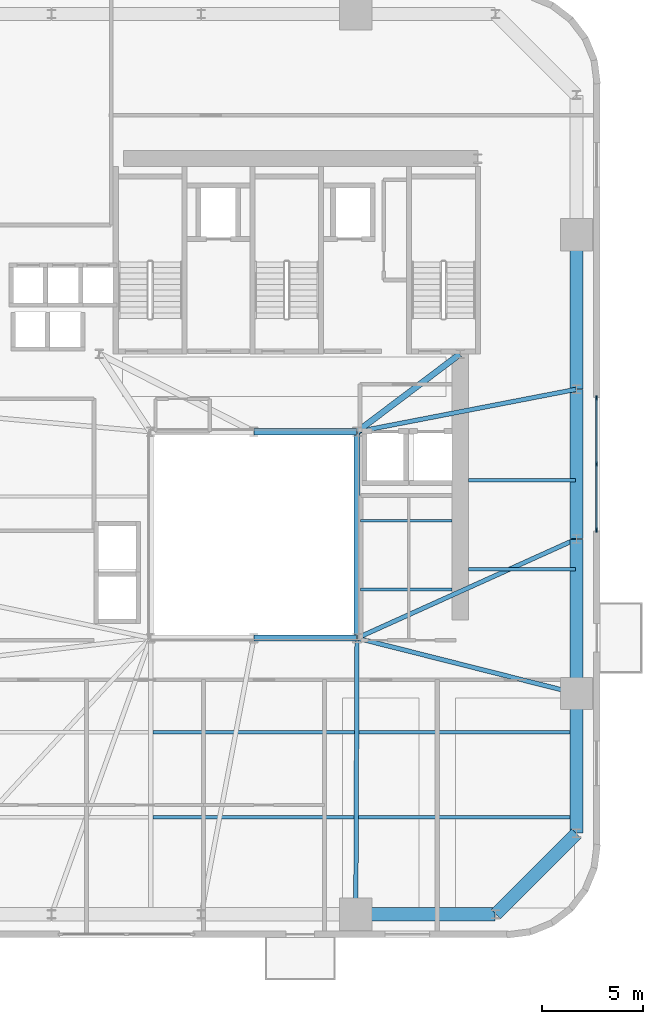
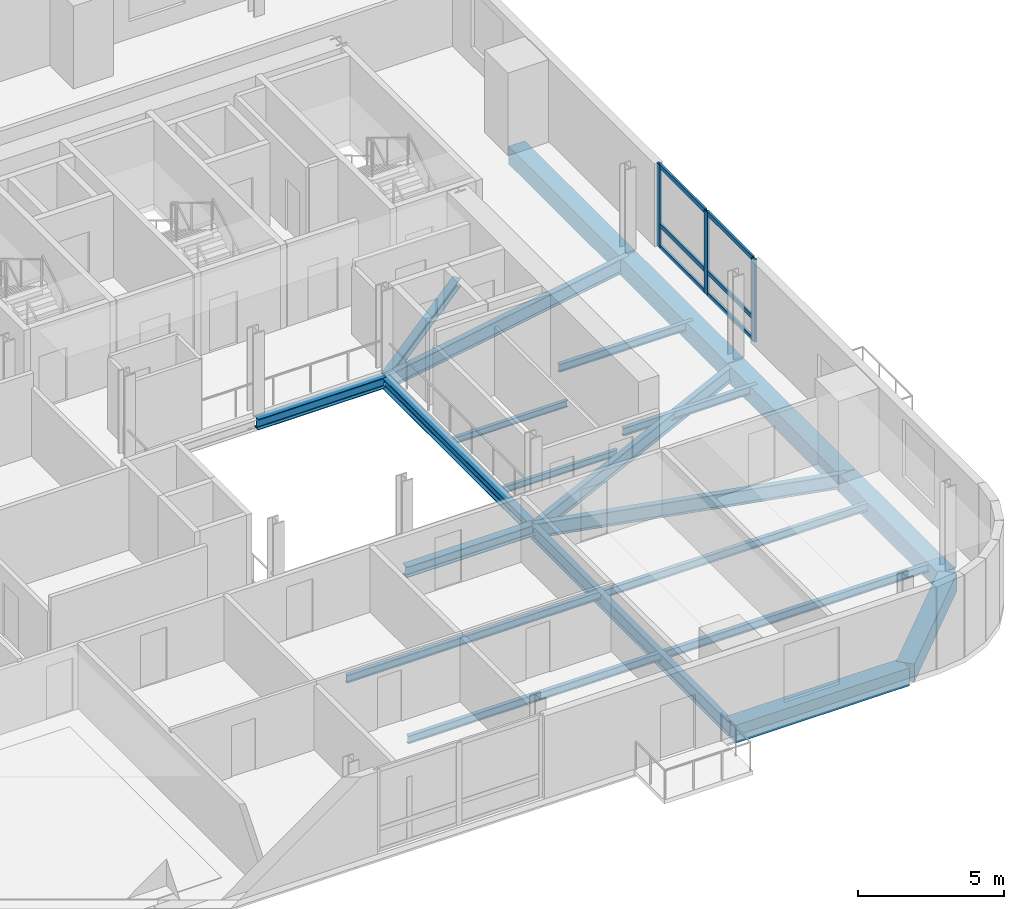
# One storey, part 3 of 14: 20 beams, 9 members, 1 element without a shape of its own.
"""IFC4 building model written with IfcOpenShell, lengths in metres."""

from ifc_helpers import new_model, si_unit, direction, frame, origin, origin_2d, place, context, subcontext, project, spatial, rectangle, i_section, extrude, source, transform, mapped, material, material_profile, profile_set, type_object, element, aggregate, save


model = new_model("IFC4")

# Units and contexts
model_context = context("Model", 3, precision=1e-05, world=origin(), true_north=direction((0.0, 1.0)))
body_context = subcontext(model_context, "Body", "Model", "MODEL_VIEW")
ifc_project = project(units=[si_unit("LENGTHUNIT", "METRE"), si_unit("AREAUNIT", "SQUARE_METRE"), si_unit("VOLUMEUNIT", "CUBIC_METRE"), si_unit("PLANEANGLEUNIT", "RADIAN"), si_unit("MASSUNIT", "GRAM", prefix="KILO")], contexts=[model_context])

# Site, building, storey
site_placement = place(None, origin())
site = spatial("IfcSite", under=ifc_project, at=site_placement, CompositionType="ELEMENT")
building_placement = place(site_placement, origin())
building = spatial("IfcBuilding", under=site, at=building_placement, Name="Vardaveli Station Tower", CompositionType="ELEMENT")
storey_placement = place(building_placement, frame((0.0, 0.0, 144.60009765625)))
storey = spatial("IfcBuildingStorey", under=building, at=storey_placement, Name="L37", CompositionType="ELEMENT", Elevation=144.60009765625)

# Beams
ifc_material_1 = material(Name="Structural steel S355J2", Category="steel")
ifc_material_profile_1 = material_profile(ifc_material_1, i_section(OverallWidth=0.300048828125, OverallDepth=0.449951171875, WebThickness=0.013916015625, FlangeThickness=0.02587890625, FilletRadius=0.027099609375, at=origin_2d()), Name="HEB 450")
ifc_profile_set_1 = profile_set([ifc_material_profile_1], Name="Structural steel S355J2")
beam_type_1 = type_object("IfcBeamType", Name="BM-HEB450", PredefinedType="BEAM", material=ifc_profile_set_1)
shared_shape_1 = source(origin(), body_context, "Body", "SweptSolid", [
    extrude(i_section(OverallWidth=0.300048828125, OverallDepth=0.449951171875, WebThickness=0.013916015625, FlangeThickness=0.02587890625, FilletRadius=0.027099609375, at=origin_2d()), origin(), (0.0, 0.0, 1.0), 5.059814453125),
])
for number, where, z_axis, x_axis, name in (
    (1, (36.320068359375, 16.60009765625, -0.465087890625), (1.0, 0.0, 0.0), (0.0, 1.0, 0.0), "ABM-L37-02"),
    (2, (41.3798828125, 26.800048828125, -0.465087890625), (-1.0, 0.0, 0.0), (0.0, -1.0, 0.0), "ABM-L37-04"),
):
    element("IfcBeam", number, at=place(storey_placement, frame(where, z_axis=z_axis, x_axis=x_axis)), inside=storey, type_object=beam_type_1, Name=name, PredefinedType="BEAM", context=body_context, shape_type="MappedRepresentation", body=[
        mapped(shared_shape_1, transform((0.0, 0.0, 0.0), scale=1.0)),
    ])
shared_shape_2 = source(origin(), body_context, "Body", "SweptSolid", [
    extrude(i_section(OverallWidth=0.300048828125, OverallDepth=0.449951171875, WebThickness=0.013916015625, FlangeThickness=0.02587890625, FilletRadius=0.027099609375, at=origin_2d()), origin(), (0.0, 0.0, 1.0), 10.159912109375),
])
beam_1_placement = place(storey_placement, frame((41.39990234375, 16.6201171875, -0.465087890625), z_axis=(0.0, 1.0, 0.0), x_axis=(-1.0, 0.0, 0.0)))
element("IfcBeam", 3, at=beam_1_placement, inside=storey, type_object=beam_type_1, Name="ABM-L37-03", PredefinedType="BEAM", context=body_context, shape_type="MappedRepresentation", body=[
    mapped(shared_shape_2, transform((0.0, 0.0, 0.0), scale=1.0)),
])
ifc_material_profile_2 = material_profile(ifc_material_1, i_section(OverallWidth=0.300048828125, OverallDepth=0.360107421875, WebThickness=0.012451171875, FlangeThickness=0.0224609375, FilletRadius=0.027099609375, at=origin_2d()), Name="HEB 360")
ifc_profile_set_2 = profile_set([ifc_material_profile_2], Name="Structural steel S355J2")
beam_type_2 = type_object("IfcBeamType", Name="BM-HEB360", PredefinedType="BEAM", material=ifc_profile_set_2)
shared_shape_3 = source(origin(), body_context, "Body", "SweptSolid", [
    extrude(i_section(OverallWidth=0.300048828125, OverallDepth=0.360107421875, WebThickness=0.012451171875, FlangeThickness=0.0224609375, FilletRadius=0.027099609375, at=origin_2d()), origin(), (0.0, 0.0, 1.0), 6.35009765625),
])
beam_2_placement = place(storey_placement, frame((41.416015625, 26.81201171875, -0.420166015625), z_axis=(0.798118337722, 0.602500721154, 0.0), x_axis=(-0.602500721154, 0.798118337722, 0.0)))
element("IfcBeam", 4, at=beam_2_placement, inside=storey, type_object=beam_type_2, Name="CBM-L37-02", PredefinedType="BEAM", context=body_context, shape_type="MappedRepresentation", body=[
    mapped(shared_shape_3, transform((0.0, 0.0, 0.0), scale=1.0)),
])
ifc_material_2 = material(Name="Precast concrete C45/55", Category="concrete")
ifc_material_profile_3 = material_profile(ifc_material_2, rectangle(XDim=0.64990234375, YDim=0.75, at=origin_2d()), Name="LPB 650x750")
ifc_profile_set_3 = profile_set([ifc_material_profile_3], Name="Precast concrete C45/55")
beam_type_3 = type_object("IfcBeamType", Name="BM-LPB-750", PredefinedType="BEAM", material=ifc_profile_set_3)
shared_shape_4 = source(origin(), body_context, "Body", "SweptSolid", [
    extrude(rectangle(XDim=0.64990234375, YDim=0.75, at=origin_2d()), origin(), (0.0, 0.0, 1.0), 7.60009765625),
])
for number, where, z_axis, x_axis, name in (
    (5, (52.25, 13.8798828125, -0.614990234375), (0.0, 1.0, 0.0), (-1.0, 0.0, 0.0), "RBM-L37-07"),
    (6, (52.25, 28.919921875, -0.614990234375), (0.0, 1.0, 0.0), (-1.0, 0.0, 0.0), "RBM-L37-09"),
):
    element("IfcBeam", number, at=place(storey_placement, frame(where, z_axis=z_axis, x_axis=x_axis)), inside=storey, type_object=beam_type_3, Name=name, PredefinedType="BEAM", context=body_context, shape_type="MappedRepresentation", body=[
        mapped(shared_shape_4, transform((0.0, 0.0, 0.0), scale=1.0)),
    ])
shared_shape_5 = source(origin(), body_context, "Body", "SweptSolid", [
    extrude(rectangle(XDim=0.64990234375, YDim=0.75, at=origin_2d()), origin(), (0.0, 0.0, 1.0), 7.35986328125),
])
beam_3_placement = place(storey_placement, frame((52.25, 21.52001953125, -0.614990234375), z_axis=(0.0, 1.0, 0.0), x_axis=(-1.0, 0.0, 0.0)))
element("IfcBeam", 7, at=beam_3_placement, inside=storey, type_object=beam_type_3, Name="RBM-L37-08", PredefinedType="BEAM", context=body_context, shape_type="MappedRepresentation", body=[
    mapped(shared_shape_5, transform((0.0, 0.0, 0.0), scale=1.0)),
])
shared_shape_6 = source(origin(), body_context, "Body", "SweptSolid", [
    extrude(rectangle(XDim=0.64990234375, YDim=0.75, at=origin_2d()), origin(), (0.0, 0.0, 1.0), 6.869873046875),
])
beam_4_placement = place(storey_placement, frame((41.360107421875, 2.949951171875, -0.614990234375), z_axis=(1.0, 0.0, 0.0), x_axis=(0.0, 1.0, 0.0)))
element("IfcBeam", 8, at=beam_4_placement, inside=storey, type_object=beam_type_3, Name="RBM-L37-04", PredefinedType="BEAM", context=body_context, shape_type="MappedRepresentation", body=[
    mapped(shared_shape_6, transform((0.0, 0.0, 0.0), scale=1.0)),
])
shared_shape_7 = source(origin(), body_context, "Body", "SweptSolid", [
    extrude(rectangle(XDim=0.64990234375, YDim=0.75, at=origin_2d()), origin(), (0.0, 0.0, 1.0), 5.61669921875),
])
beam_5_placement = place(storey_placement, frame((48.26416015625, 2.964111328125, -0.614990234375), z_axis=(0.707106781187, 0.707106781187, 0.0), x_axis=(-0.707106781187, 0.707106781187, 0.0)))
element("IfcBeam", 9, at=beam_5_placement, inside=storey, type_object=beam_type_3, Name="RBM-L37-05", PredefinedType="BEAM", context=body_context, shape_type="MappedRepresentation", body=[
    mapped(shared_shape_7, transform((0.0, 0.0, 0.0), scale=1.0)),
])
shared_shape_8 = source(origin(), body_context, "Body", "SweptSolid", [
    extrude(rectangle(XDim=0.64990234375, YDim=0.75, at=origin_2d()), origin(), (0.0, 0.0, 1.0), 6.8701171875),
])
beam_6_placement = place(storey_placement, frame((52.25, 6.969970703125, -0.614990234375), z_axis=(0.0, 1.0, 0.0), x_axis=(-1.0, 0.0, 0.0)))
element("IfcBeam", 10, at=beam_6_placement, inside=storey, type_object=beam_type_3, Name="RBM-L37-06", PredefinedType="BEAM", context=body_context, shape_type="MappedRepresentation", body=[
    mapped(shared_shape_8, transform((0.0, 0.0, 0.0), scale=1.0)),
])
ifc_material_profile_4 = material_profile(ifc_material_1, i_section(OverallWidth=0.159912109375, OverallDepth=0.330078125, WebThickness=0.007568359375, FlangeThickness=0.011474609375, FilletRadius=0.01806640625, at=origin_2d()), Name="IPE 330")
ifc_profile_set_4 = profile_set([ifc_material_profile_4], Name="Structural steel S355J2")
beam_type_4 = type_object("IfcBeamType", Name="BM-IPE330", PredefinedType="JOIST", material=ifc_profile_set_4)
shared_shape_9 = source(origin(), body_context, "Body", "SweptSolid", [
    extrude(i_section(OverallWidth=0.159912109375, OverallDepth=0.330078125, WebThickness=0.007568359375, FlangeThickness=0.011474609375, FilletRadius=0.01806640625, at=origin_2d()), origin(), (0.0, 0.0, 1.0), 20.89794921875),
])
for number, where, z_axis, x_axis, name in (
    (11, (31.31201171875, 7.75, -0.405029296875), (1.0, 0.0, 0.0), (0.0, 1.0, 0.0), "SJ-L37-S02"),
    (12, (31.31201171875, 11.949951171875, -0.405029296875), (1.0, 0.0, 0.0), (0.0, 1.0, 0.0), "SJ-L37-S04"),
):
    element("IfcBeam", number, at=place(storey_placement, frame(where, z_axis=z_axis, x_axis=x_axis)), inside=storey, type_object=beam_type_4, Name=name, PredefinedType="JOIST", context=body_context, shape_type="MappedRepresentation", body=[
        mapped(shared_shape_9, transform((0.0, 0.0, 0.0), scale=1.0)),
    ])
shared_shape_10 = source(origin(), body_context, "Body", "SweptSolid", [
    extrude(i_section(OverallWidth=0.159912109375, OverallDepth=0.330078125, WebThickness=0.007568359375, FlangeThickness=0.011474609375, FilletRadius=0.01806640625, at=origin_2d()), origin(), (0.0, 0.0, 1.0), 5.304931640625),
])
for number, where, z_axis, x_axis, name in (
    (13, (46.905029296875, 20.0, -0.405029296875), (1.0, 0.0, 0.0), (0.0, 1.0, 0.0), "SJ-L37-E07"),
    (14, (46.905029296875, 24.39990234375, -0.405029296875), (1.0, 0.0, 0.0), (0.0, 1.0, 0.0), "SJ-L37-E08"),
):
    element("IfcBeam", number, at=place(storey_placement, frame(where, z_axis=z_axis, x_axis=x_axis)), inside=storey, type_object=beam_type_4, Name=name, PredefinedType="JOIST", context=body_context, shape_type="MappedRepresentation", body=[
        mapped(shared_shape_10, transform((0.0, 0.0, 0.0), scale=1.0)),
    ])
ifc_material_profile_5 = material_profile(ifc_material_1, i_section(OverallWidth=0.135009765625, OverallDepth=0.27001953125, WebThickness=0.006591796875, FlangeThickness=0.01025390625, FilletRadius=0.014892578125, at=origin_2d()), Name="IPE 270")
ifc_profile_set_5 = profile_set([ifc_material_profile_5], Name="Structural steel S355J2")
beam_type_5 = type_object("IfcBeamType", Name="BM-IPE270", PredefinedType="BEAM", material=ifc_profile_set_5)
shared_shape_11 = source(origin(), body_context, "Body", "SweptSolid", [
    extrude(i_section(OverallWidth=0.135009765625, OverallDepth=0.27001953125, WebThickness=0.006591796875, FlangeThickness=0.01025390625, FilletRadius=0.014892578125, at=origin_2d()), origin(), (0.0, 0.0, 1.0), 4.530029296875),
])
for number, where, z_axis, x_axis, name in (
    (15, (41.56494140625, 19.0, -0.375), (1.0, 0.0, 0.0), (0.0, 1.0, 0.0), "TJ-L37-01"),
    (16, (41.56494140625, 22.39990234375, -0.375), (1.0, 0.0, 0.0), (0.0, 1.0, 0.0), "TJ-L37-02"),
):
    element("IfcBeam", number, at=place(storey_placement, frame(where, z_axis=z_axis, x_axis=x_axis)), inside=storey, type_object=beam_type_5, Name=name, PredefinedType="BEAM", context=body_context, shape_type="MappedRepresentation", body=[
        mapped(shared_shape_11, transform((0.0, 0.0, 0.0), scale=1.0)),
    ])
ifc_material_profile_6 = material_profile(ifc_material_1, i_section(OverallWidth=0.219970703125, OverallDepth=0.60009765625, WebThickness=0.011962890625, FlangeThickness=0.01904296875, FilletRadius=0.02392578125, at=origin_2d()), Name="IPE 600")
ifc_profile_set_6 = profile_set([ifc_material_profile_6], Name="Structural steel S355J2")
beam_type_6 = type_object("IfcBeamType", Name="BM-IPE600", PredefinedType="BEAM", material=ifc_profile_set_6)
shared_shape_12 = source(origin(), body_context, "Body", "SweptSolid", [
    extrude(i_section(OverallWidth=0.219970703125, OverallDepth=0.60009765625, WebThickness=0.011962890625, FlangeThickness=0.01904296875, FilletRadius=0.02392578125, at=origin_2d()), origin(), (0.0, 0.0, 1.0), 13.6103515625),
])
beam_7_placement = place(storey_placement, frame((41.340087890625, 2.969970703125, -0.5400390625), z_axis=(0.004394812886, 0.999990342763, 0.0), x_axis=(-0.999990342763, 0.004394812886, 0.0)))
element("IfcBeam", 17, at=beam_7_placement, inside=storey, type_object=beam_type_6, Name="GBM-L37-04", PredefinedType="BEAM", context=body_context, shape_type="MappedRepresentation", body=[
    mapped(shared_shape_12, transform((0.0, 0.0, 0.0), scale=1.0)),
])
shared_shape_13 = source(origin(), body_context, "Body", "SweptSolid", [
    extrude(i_section(OverallWidth=0.219970703125, OverallDepth=0.60009765625, WebThickness=0.011962890625, FlangeThickness=0.01904296875, FilletRadius=0.02392578125, at=origin_2d()), origin(), (0.0, 0.0, 1.0), 11.150634765625),
])
beam_8_placement = place(storey_placement, frame((52.230712890625, 13.864990234375, -0.5400390625), z_axis=(-0.969561465826, 0.244848042642, 0.0), x_axis=(-0.244848042642, -0.969561465826, 0.0)))
element("IfcBeam", 18, at=beam_8_placement, inside=storey, type_object=beam_type_6, Name="GBM-L37-05", PredefinedType="BEAM", context=body_context, shape_type="MappedRepresentation", body=[
    mapped(shared_shape_13, transform((0.0, 0.0, 0.0), scale=1.0)),
])
shared_shape_14 = source(origin(), body_context, "Body", "SweptSolid", [
    extrude(i_section(OverallWidth=0.219970703125, OverallDepth=0.60009765625, WebThickness=0.011962890625, FlangeThickness=0.01904296875, FilletRadius=0.02392578125, at=origin_2d()), origin(), (0.0, 0.0, 1.0), 11.864990234375),
])
beam_9_placement = place(storey_placement, frame((52.231689453125, 21.49169921875, -0.5400390625), z_axis=(-0.911369354756, -0.411589478985, 0.0), x_axis=(0.411589478985, -0.911369354756, 0.0)))
element("IfcBeam", 19, at=beam_9_placement, inside=storey, type_object=beam_type_6, Name="GBM-L37-06", PredefinedType="BEAM", context=body_context, shape_type="MappedRepresentation", body=[
    mapped(shared_shape_14, transform((0.0, 0.0, 0.0), scale=1.0)),
])
shared_shape_15 = source(origin(), body_context, "Body", "SweptSolid", [
    extrude(i_section(OverallWidth=0.219970703125, OverallDepth=0.60009765625, WebThickness=0.011962890625, FlangeThickness=0.01904296875, FilletRadius=0.02392578125, at=origin_2d()), origin(), (0.0, 0.0, 1.0), 11.011474609375),
])
beam_10_placement = place(storey_placement, frame((52.23046875, 28.896240234375, -0.5400390625), z_axis=(-0.981777849093, -0.190032247343, 0.0), x_axis=(0.190032247343, -0.981777849093, 0.0)))
element("IfcBeam", 20, at=beam_10_placement, inside=storey, type_object=beam_type_6, Name="GBM-L37-07", PredefinedType="BEAM", context=body_context, shape_type="MappedRepresentation", body=[
    mapped(shared_shape_15, transform((0.0, 0.0, 0.0), scale=1.0)),
])

# Curtain wall, members
ifc_material_3 = material(Name="Travertine stone and solar-control glass", Category="masonry")
curtain_wall_type = type_object("IfcCurtainWallType", Name="CW-SYS-2", PredefinedType="NOTDEFINED", material=ifc_material_3)
curtain_wall_placement = place(storey_placement, origin())
curtain_wall = element("IfcCurtainWall", 21, at=curtain_wall_placement, inside=storey, type_object=curtain_wall_type, Name="CW-L37-E", PredefinedType="NOTDEFINED")
ifc_material_4 = material(Name="Anodised aluminium alloy 6063-T6", Category="aluminium")
ifc_material_profile_7 = material_profile(ifc_material_4, rectangle(XDim=0.0849609375, YDim=0.179931640625, at=origin_2d()), Name="CWT 85x180")
ifc_profile_set_7 = profile_set([ifc_material_profile_7], Name="Anodised aluminium alloy 6063-T6")
member_type_1 = type_object("IfcMemberType", Name="CW-SYS-2-TRAN", PredefinedType="NOTDEFINED", material=ifc_profile_set_7)
shared_shape_16 = source(origin(), body_context, "Body", "SweptSolid", [
    extrude(rectangle(XDim=0.0849609375, YDim=0.179931640625, at=origin_2d()), origin(), (0.0, 0.0, 1.0), 3.172607421875),
])
member_1_placement = place(storey_placement, frame((53.239990234375, 25.242431640625, 0.04248046875), z_axis=(0.0, 1.0, 0.0), x_axis=(-1.0, 0.0, 0.0)))
member_1 = element("IfcMember", 22, at=member_1_placement, type_object=member_type_1, Name="CW-2 transom 2.1", ObjectType="TRANSOM", PredefinedType="USERDEFINED", context=body_context, shape_type="MappedRepresentation", body=[
    mapped(shared_shape_16, transform((0.0, 0.0, 0.0), scale=1.0)),
])
member_2_placement = place(storey_placement, frame((53.239990234375, 25.242431640625, 0.949951171875), z_axis=(0.0, 1.0, 0.0), x_axis=(-1.0, 0.0, 0.0)))
member_2 = element("IfcMember", 23, at=member_2_placement, type_object=member_type_1, Name="CW-2 transom 2.2", ObjectType="TRANSOM", PredefinedType="USERDEFINED", context=body_context, shape_type="MappedRepresentation", body=[
    mapped(shared_shape_16, transform((0.0, 0.0, 0.0), scale=1.0)),
])
member_3_placement = place(storey_placement, frame((53.239990234375, 25.242431640625, 3.41748046875), z_axis=(0.0, 1.0, 0.0), x_axis=(-1.0, 0.0, 0.0)))
member_3 = element("IfcMember", 24, at=member_3_placement, type_object=member_type_1, Name="CW-2 transom 2.3", ObjectType="TRANSOM", PredefinedType="USERDEFINED", context=body_context, shape_type="MappedRepresentation", body=[
    mapped(shared_shape_16, transform((0.0, 0.0, 0.0), scale=1.0)),
])
shared_shape_17 = source(origin(), body_context, "Body", "SweptSolid", [
    extrude(rectangle(XDim=0.0849609375, YDim=0.179931640625, at=origin_2d()), origin(), (0.0, 0.0, 1.0), 3.17236328125),
])
member_4_placement = place(storey_placement, frame((53.239990234375, 21.985107421875, 0.04248046875), z_axis=(0.0, 1.0, 0.0), x_axis=(-1.0, 0.0, 0.0)))
member_4 = element("IfcMember", 25, at=member_4_placement, type_object=member_type_1, Name="CW-2 transom 1.1", ObjectType="TRANSOM", PredefinedType="USERDEFINED", context=body_context, shape_type="MappedRepresentation", body=[
    mapped(shared_shape_17, transform((0.0, 0.0, 0.0), scale=1.0)),
])
member_5_placement = place(storey_placement, frame((53.239990234375, 21.985107421875, 0.949951171875), z_axis=(0.0, 1.0, 0.0), x_axis=(-1.0, 0.0, 0.0)))
member_5 = element("IfcMember", 26, at=member_5_placement, type_object=member_type_1, Name="CW-2 transom 1.2", ObjectType="TRANSOM", PredefinedType="USERDEFINED", context=body_context, shape_type="MappedRepresentation", body=[
    mapped(shared_shape_17, transform((0.0, 0.0, 0.0), scale=1.0)),
])
member_6_placement = place(storey_placement, frame((53.239990234375, 21.985107421875, 3.41748046875), z_axis=(0.0, 1.0, 0.0), x_axis=(-1.0, 0.0, 0.0)))
member_6 = element("IfcMember", 27, at=member_6_placement, type_object=member_type_1, Name="CW-2 transom 1.3", ObjectType="TRANSOM", PredefinedType="USERDEFINED", context=body_context, shape_type="MappedRepresentation", body=[
    mapped(shared_shape_17, transform((0.0, 0.0, 0.0), scale=1.0)),
])
ifc_material_profile_8 = material_profile(ifc_material_4, rectangle(XDim=0.0849609375, YDim=0.219970703125, at=origin_2d()), Name="CWM 85x220")
ifc_profile_set_8 = profile_set([ifc_material_profile_8], Name="Anodised aluminium alloy 6063-T6")
member_type_2 = type_object("IfcMemberType", Name="CW-SYS-2-MULL", PredefinedType="MULLION", material=ifc_profile_set_8)
shared_shape_18 = source(origin(), body_context, "Body", "SweptSolid", [
    extrude(rectangle(XDim=0.0849609375, YDim=0.219970703125, at=origin_2d()), origin(), (0.0, 0.0, 1.0), 3.4599609375),
])
member_7_placement = place(storey_placement, frame((53.239990234375, 21.9423828125, 0.0), z_axis=(0.0, 0.0, 1.0), x_axis=(-1.0, 0.0, 0.0)))
member_7 = element("IfcMember", 28, at=member_7_placement, type_object=member_type_2, Name="CW-2 mullion 1", PredefinedType="MULLION", context=body_context, shape_type="MappedRepresentation", body=[
    mapped(shared_shape_18, transform((0.0, 0.0, 0.0), scale=1.0)),
])
member_8_placement = place(storey_placement, frame((53.239990234375, 25.199951171875, 0.0), z_axis=(0.0, 0.0, 1.0), x_axis=(-1.0, 0.0, 0.0)))
member_8 = element("IfcMember", 29, at=member_8_placement, type_object=member_type_2, Name="CW-2 mullion 2", PredefinedType="MULLION", context=body_context, shape_type="MappedRepresentation", body=[
    mapped(shared_shape_18, transform((0.0, 0.0, 0.0), scale=1.0)),
])
member_9_placement = place(storey_placement, frame((53.239990234375, 28.45751953125, 0.0), z_axis=(0.0, 0.0, 1.0), x_axis=(-1.0, 0.0, 0.0)))
member_9 = element("IfcMember", 30, at=member_9_placement, type_object=member_type_2, Name="CW-2 mullion 3", PredefinedType="MULLION", context=body_context, shape_type="MappedRepresentation", body=[
    mapped(shared_shape_18, transform((0.0, 0.0, 0.0), scale=1.0)),
])
aggregate(curtain_wall, [member_7, member_8, member_9, member_4, member_5, member_6, member_1, member_2, member_3])

save(model, "model.ifc")
